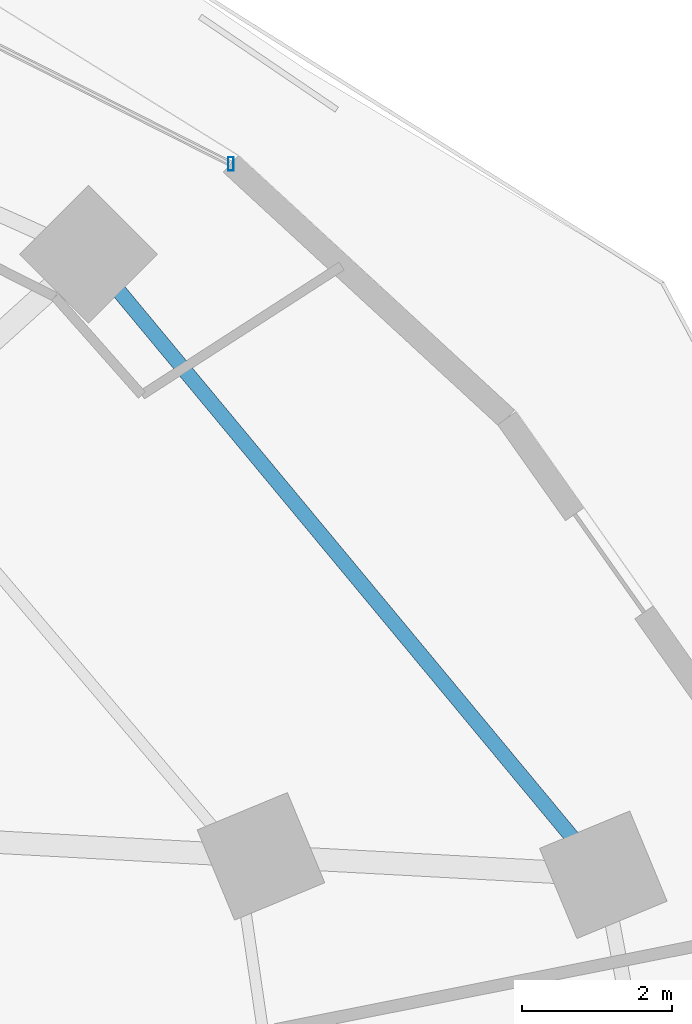
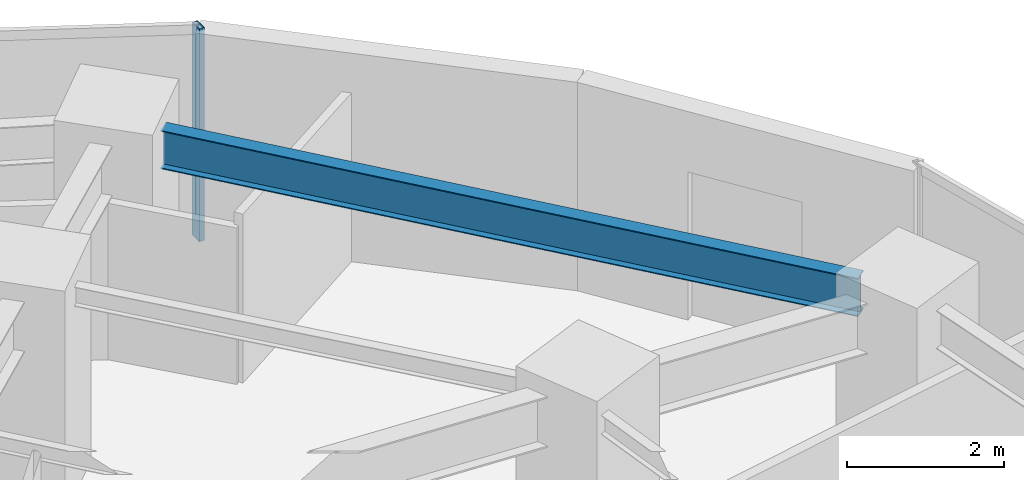
# One storey, part 24 of 33: 1 beam, 1 member, 1 element without a shape of its own.
"""IFC4 building model written with IfcOpenShell, lengths in metres."""

from ifc_helpers import new_model, si_unit, direction, frame, origin, origin_2d, place, context, subcontext, project, spatial, hollow_rectangle, i_section, extrude, material, material_profile, profile_set, type_object, element, aggregate, save


model = new_model("IFC4")

# Units and contexts
model_context = context("Model", 3, precision=1e-05, world=origin(), true_north=direction((0.0, 1.0)))
body_context = subcontext(model_context, "Body", "Model", "MODEL_VIEW")
ifc_project = project(units=[si_unit("LENGTHUNIT", "METRE"), si_unit("AREAUNIT", "SQUARE_METRE"), si_unit("VOLUMEUNIT", "CUBIC_METRE"), si_unit("PLANEANGLEUNIT", "RADIAN"), si_unit("MASSUNIT", "GRAM", prefix="KILO")], contexts=[model_context])

# Site, building, storey
site_placement = place(None, origin())
site = spatial("IfcSite", under=ifc_project, at=site_placement, CompositionType="ELEMENT")
building_placement = place(site_placement, origin())
building = spatial("IfcBuilding", under=site, at=building_placement, Name="Vorneva Point Tower", CompositionType="ELEMENT")
storey_placement = place(building_placement, frame((0.0, 0.0, 38.0)))
storey = spatial("IfcBuildingStorey", under=building, at=storey_placement, Name="L09", CompositionType="ELEMENT", Elevation=38.0)

# Beam
ifc_material_1 = material(Name="Steel S355", Category="steel")
ifc_material_profile_1 = material_profile(ifc_material_1, i_section(OverallWidth=0.198974609375, OverallDepth=0.595947265625, WebThickness=0.010009765625, FlangeThickness=0.014892578125, at=origin_2d()), Name="60B1")
ifc_profile_set_1 = profile_set([ifc_material_profile_1], Name="Steel S355")
beam_type = type_object("IfcBeamType", Name="BM-SPN-60B1", PredefinedType="SPANDREL", material=ifc_profile_set_1)
beam_placement = place(storey_placement, frame((63.448974609375, 32.825439453125, 2.94189453125), z_axis=(-0.638610485359, 0.769530147551, 0.0), x_axis=(-0.769530147551, -0.638610485359, 0.0)))
element("IfcBeam", 1, at=beam_placement, inside=storey, type_object=beam_type, Name="L09 Perimeter Spandrel Ring Beam 02", PredefinedType="SPANDREL", context=body_context, shape_type="SweptSolid", body=[
    extrude(i_section(OverallWidth=0.198974609375, OverallDepth=0.595947265625, WebThickness=0.010009765625, FlangeThickness=0.014892578125, at=origin_2d()), origin(), (0.0, 0.0, 1.0), 9.4677734375),
])

# Curtain wall, member
ifc_material_2 = material(Name="Pale anodised aluminium", Category="aluminium")
curtain_wall_type = type_object("IfcCurtainWallType", Name="CW-HTL-SYS", PredefinedType="NOTDEFINED", material=ifc_material_2)
curtain_wall_placement = place(storey_placement, origin())
curtain_wall = element("IfcCurtainWall", 2, at=curtain_wall_placement, inside=storey, type_object=curtain_wall_type, Name="L09 Unitised Curtain Wall CW-L09-R02", PredefinedType="NOTDEFINED")
ifc_material_profile_2 = material_profile(ifc_material_2, hollow_rectangle(XDim=0.074951171875, YDim=0.179931640625, WallThickness=0.00390625, at=origin_2d()), Name="AL-MUL 180x75x4")
ifc_profile_set_2 = profile_set([ifc_material_profile_2], Name="Pale anodised aluminium")
member_type = type_object("IfcMemberType", Name="CW-MUL-180", PredefinedType="MULLION", material=ifc_profile_set_2)
member_placement = place(storey_placement, frame((58.89501953125, 41.8037109375, -0.0400390625), z_axis=(0.0, 0.0, 1.0), x_axis=(1.0, 0.0, 0.0)))
member = element("IfcMember", 3, at=member_placement, type_object=member_type, Name="CW-L09-R02 Mullion 01", PredefinedType="MULLION", context=body_context, shape_type="SweptSolid", body=[
    extrude(hollow_rectangle(XDim=0.074951171875, YDim=0.179931640625, WallThickness=0.00390625, at=origin_2d()), origin(), (0.0, 0.0, 1.0), 3.31005859375),
])
aggregate(curtain_wall, [member])

save(model, "model.ifc")
